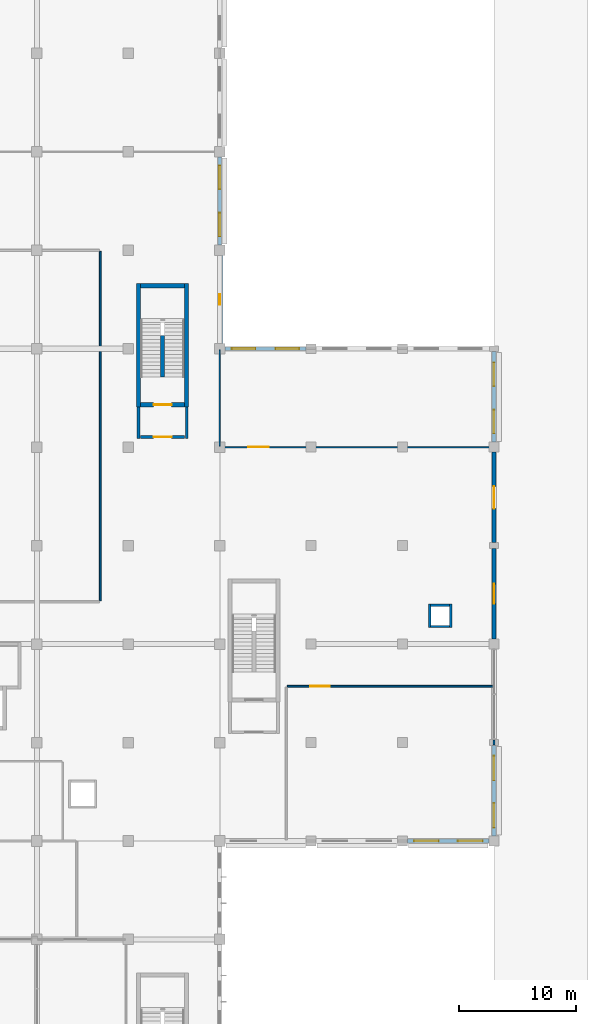
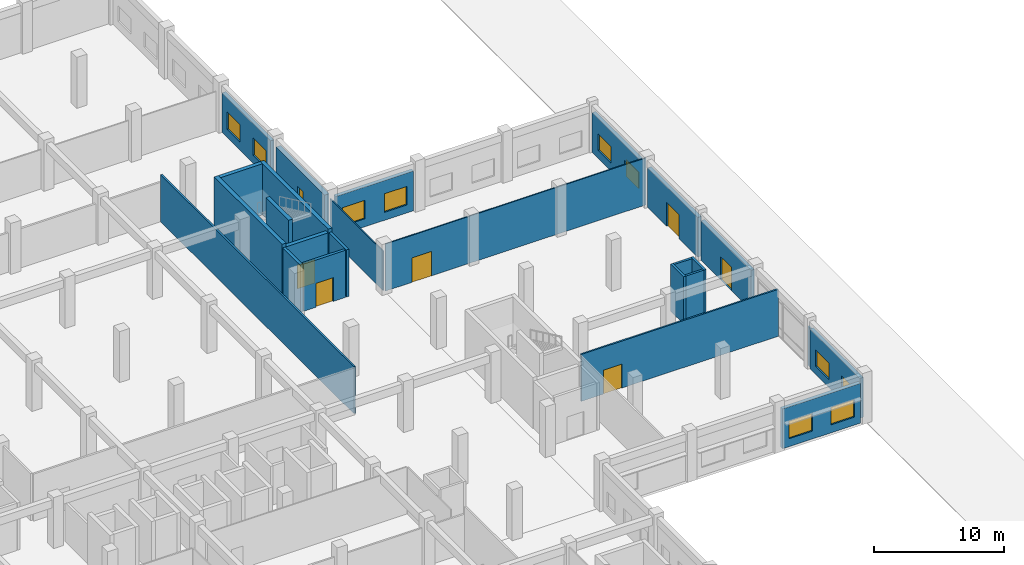
# One storey, part 58 of 74: 25 walls, 11 windows, 6 doors, 17 openings.
"""IFC4 building model written with IfcOpenShell, lengths in metres."""

from ifc_helpers import new_model, si_unit, direction, frame, frame_2d, origin, place, context, subcontext, project, spatial, rectangle, extrude, material, layer, layer_set, type_object, element, fill, save


model = new_model("IFC4")

# Units and contexts
model_context = context("Model", 3, precision=1e-05, world=origin(), true_north=direction((0.0, 1.0)))
body_context = subcontext(model_context, "Body", "Model", "MODEL_VIEW")
ifc_project = project(units=[si_unit("LENGTHUNIT", "METRE"), si_unit("AREAUNIT", "SQUARE_METRE"), si_unit("VOLUMEUNIT", "CUBIC_METRE"), si_unit("PLANEANGLEUNIT", "RADIAN"), si_unit("MASSUNIT", "GRAM", prefix="KILO"), si_unit("THERMODYNAMICTEMPERATUREUNIT", "KELVIN"), si_unit("POWERUNIT", "WATT")], contexts=[model_context])

# Site, building, storey
site_placement = place(None, origin())
site = spatial("IfcSite", under=ifc_project, at=site_placement, CompositionType="ELEMENT")
building_placement = place(site_placement, origin())
building = spatial("IfcBuilding", under=site, at=building_placement, Name="Srebrne Nadtorze General Hospital", CompositionType="ELEMENT")
storey_placement = place(building_placement, origin())
storey = spatial("IfcBuildingStorey", under=building, at=storey_placement, Name="L00", CompositionType="ELEMENT", Elevation=0.0)

# Wall, opening, window
ifc_material_1 = material(Name="Concrete C40/50", Category="concrete")
ifc_layer_1 = layer(ifc_material_1, 0.419921875)
ifc_layer_set_1 = layer_set([ifc_layer_1], Name="Concrete C40/50")
wall_type_1 = type_object("IfcWallType", Name="Acoustic buffer wall 420", PredefinedType="SOLIDWALL", material=ifc_layer_set_1)
wall_1_placement = place(storey_placement, frame((148.199951171875, 76.050048828125, 0.0), z_axis=(0.0, 0.0, 1.0), x_axis=(0.0, 1.0, 0.0)))
wall_1 = element("IfcWall", 1, at=wall_1_placement, inside=storey, type_object=wall_type_1, Name="Exterior wall WL-ENV-L00-0142", PredefinedType="SOLIDWALL", context=body_context, shape_type="SweptSolid", body=[
    extrude(rectangle(XDim=7.5, YDim=0.419921875, at=frame_2d((3.75, 0.0))), origin(), (0.0, 0.0, 1.0), 3.75),
])
opening_1_placement = place(wall_1_placement, frame((3.300048828125, 0.0, 0.75)))
opening_1 = element("IfcOpeningElement", 2, at=opening_1_placement, cuts=wall_1, Name="Opening WN-L00-0108", PredefinedType="OPENING", context=body_context, shape_type="SweptSolid", body=[
    extrude(rectangle(XDim=0.89990234375, YDim=1.300048828125, at=frame_2d((0.449951171875, 0.64990234375))), frame((0.0, 0.221923828125, 0.0), z_axis=(0.0, -1.0, 0.0), x_axis=(1.0, 0.0, 0.0)), (0.0, 0.0, 1.0), 0.44384765625),
])
ifc_material_2 = material(Name="Triple Low-E Glazing", Category="glass")
window_type_1 = type_object("IfcWindowType", Name="Punched clinical window 900x1300", PartitioningType="SINGLE_PANEL", PredefinedType="WINDOW", material=ifc_material_2)
window_1_placement = place(opening_1_placement, origin())
window_1 = element("IfcWindow", 3, at=window_1_placement, inside=storey, type_object=window_type_1, Name="Clinical window WN-L00-0108", OverallHeight=1.300048828125, OverallWidth=0.89990234375, PartitioningType="SINGLE_PANEL", PredefinedType="WINDOW", context=body_context, shape_type="SweptSolid", body=[
    extrude(rectangle(XDim=0.89990234375, YDim=1.300048828125, at=frame_2d((0.449951171875, 0.64990234375))), frame((0.0, 0.030029296875, 0.0), z_axis=(0.0, -1.0, 0.0), x_axis=(1.0, 0.0, 0.0)), (0.0, 0.0, 1.0), 0.06005859375),
])
fill(opening_1, window_1)

# Wall, opening, door
ifc_material_3 = material(Name="Gypsum Healthcare Partition")
ifc_layer_2 = layer(ifc_material_3, 0.139892578125)
ifc_layer_set_2 = layer_set([ifc_layer_2], Name="Gypsum Healthcare Partition")
wall_type_2 = type_object("IfcWallType", Name="Clinical partition 140", PredefinedType="PARTITIONING", material=ifc_layer_set_2)
wall_2_placement = place(storey_placement, frame((153.9599609375, 46.800048828125, 0.0), z_axis=(0.0, 0.0, 1.0), x_axis=(1.0, 0.0, 0.0)))
wall_2 = element("IfcWall", 4, at=wall_2_placement, inside=storey, type_object=wall_type_2, Name="Outpatient Retail Pharmacy wall WL-INT-L00-1351", PredefinedType="PARTITIONING", context=body_context, shape_type="SweptSolid", body=[
    extrude(rectangle(XDim=17.554931640625, YDim=0.139892578125, at=frame_2d((8.77734375, 0.0))), origin(), (0.0, 0.0, 1.0), 4.429931640625),
])
opening_2_placement = place(wall_2_placement, frame((1.961669921875, 0.0, 0.0)))
opening_2 = element("IfcOpeningElement", 5, at=opening_2_placement, cuts=wall_2, Name="Opening D-L00-0203", PredefinedType="OPENING", context=body_context, shape_type="SweptSolid", body=[
    extrude(rectangle(XDim=1.64990234375, YDim=2.25, at=frame_2d((0.824951171875, 1.125))), frame((0.0, 0.08203125, 0.0), z_axis=(0.0, -1.0, 0.0), x_axis=(1.0, 0.0, 0.0)), (0.0, 0.0, 1.0), 0.163818359375),
])
ifc_material_4 = material(Name="Anodised Aluminium", Category="aluminium")
door_type_1 = type_object("IfcDoorType", Name="Double leaf door 1650x2250", OperationType="DOUBLE_DOOR_SINGLE_SWING", PredefinedType="DOOR", material=ifc_material_4)
door_1_placement = place(opening_2_placement, frame((1.64990234375, 0.0, 0.0), z_axis=(0.0, 0.0, 1.0), x_axis=(-1.0, 0.0, 0.0)))
door_1 = element("IfcDoor", 6, at=door_1_placement, inside=storey, type_object=door_type_1, Name="Outpatient Retail Pharmacy door D-L00-0203", OperationType="DOUBLE_DOOR_SINGLE_SWING", OverallHeight=2.25, OverallWidth=1.64990234375, PredefinedType="DOOR", context=body_context, shape_type="SweptSolid", body=[
    extrude(rectangle(XDim=1.64990234375, YDim=2.25, at=frame_2d((0.824951171875, 1.125))), frame((0.0, 0.02490234375, 0.0), z_axis=(0.0, -1.0, 0.0), x_axis=(1.0, 0.0, 0.0)), (0.0, 0.0, 1.0), 0.050048828125),
])
fill(opening_2, door_1)

# Walls
wall_3_placement = place(storey_placement, frame((171.60009765625, 41.7900390625, 0.0), z_axis=(0.0, 0.0, 1.0), x_axis=(0.0, 1.0, 0.0)))
element("IfcWall", 7, at=wall_3_placement, inside=storey, type_object=wall_type_2, Name="Outpatient Retail Pharmacy wall WL-INT-L00-1355", PredefinedType="PARTITIONING", context=body_context, shape_type="SweptSolid", body=[
    extrude(rectangle(XDim=0.419921875, YDim=0.139892578125, at=frame_2d((0.2099609375, 0.0))), origin(), (0.0, 0.0, 1.0), 3.699951171875),
])
ifc_material_5 = material(Name="Gypsum Healthcare Partition")
ifc_layer_3 = layer(ifc_material_5, 0.159912109375)
ifc_layer_set_3 = layer_set([ifc_layer_3], Name="Gypsum Healthcare Partition")
wall_type_3 = type_object("IfcWallType", Name="Clinical partition 160", PredefinedType="PARTITIONING", material=ifc_layer_set_3)
wall_4_placement = place(storey_placement, frame((138.0, 54.0849609375, 0.0), z_axis=(0.0, 0.0, 1.0), x_axis=(0.0, 1.0, 0.0)))
element("IfcWall", 8, at=wall_4_placement, inside=storey, type_object=wall_type_3, Name="Clinical Blood Bank and Transfusion wall WL-INT-L00-1350", PredefinedType="PARTITIONING", context=body_context, shape_type="SweptSolid", body=[
    extrude(rectangle(XDim=29.830078125, YDim=0.159912109375, at=frame_2d((14.9150390625, 0.0))), origin(), (0.0, 0.0, 1.0), 4.429931640625),
])
ifc_material_6 = material(Name="Gypsum Healthcare Partition")
ifc_layer_4 = layer(ifc_material_6, 0.199951171875)
ifc_layer_set_4 = layer_set([ifc_layer_4], Name="Gypsum Healthcare Partition")
wall_type_4 = type_object("IfcWallType", Name="Compartment wall 200", PredefinedType="STANDARD", material=ifc_layer_set_4)
for number, where, z_axis, x_axis, name in (
    (9, (166.10009765625, 51.800048828125, 0.0), (0.0, 0.0, 1.0), (0.0, 1.0, 0.0), "MEP riser wall WL-INT-L00-0932"),
    (10, (167.89990234375, 51.800048828125, 0.0), (0.0, 0.0, 1.0), (0.0, 1.0, 0.0), "MEP riser wall WL-INT-L00-0933"),
):
    element("IfcWall", number, at=place(storey_placement, frame(where, z_axis=z_axis, x_axis=x_axis)), inside=storey, type_object=wall_type_4, Name=name, PredefinedType="STANDARD", context=body_context, shape_type="SweptSolid", body=[
        extrude(rectangle(XDim=2.0, YDim=0.199951171875, at=frame_2d((1.0, 0.0))), origin(), (0.0, 0.0, 1.0), 4.449951171875),
    ])
for number, where, z_axis, x_axis, name in (
    (11, (166.199951171875, 51.89990234375, 0.0), (0.0, 0.0, 1.0), (1.0, 0.0, 0.0), "MEP riser wall WL-INT-L00-0934"),
    (12, (166.199951171875, 53.699951171875, 0.0), (0.0, 0.0, 1.0), (1.0, 0.0, 0.0), "MEP riser wall WL-INT-L00-0935"),
):
    element("IfcWall", number, at=place(storey_placement, frame(where, z_axis=z_axis, x_axis=x_axis)), inside=storey, type_object=wall_type_4, Name=name, PredefinedType="STANDARD", context=body_context, shape_type="SweptSolid", body=[
        extrude(rectangle(XDim=1.60009765625, YDim=0.199951171875, at=frame_2d((0.800048828125, 0.0))), origin(), (0.0, 0.0, 1.0), 4.449951171875),
    ])
ifc_material_7 = material(Name="Gypsum Healthcare Partition")
ifc_layer_5 = layer(ifc_material_7, 0.239990234375)
ifc_layer_set_5 = layer_set([ifc_layer_5], Name="Gypsum Healthcare Partition")
wall_type_5 = type_object("IfcWallType", Name="Corridor fire wall 240", PredefinedType="STANDARD", material=ifc_layer_set_5)
for number, where, z_axis, x_axis, name in (
    (13, (141.27490234375, 67.955078125, 0.0), (0.0, 0.0, 1.0), (0.0, 1.0, 0.0), "Fire lobby wall ST-04 WL-INT-L00-0093"),
    (14, (145.375, 67.955078125, 0.0), (0.0, 0.0, 1.0), (0.0, 1.0, 0.0), "Fire lobby wall ST-04 WL-INT-L00-0094"),
):
    element("IfcWall", number, at=place(storey_placement, frame(where, z_axis=z_axis, x_axis=x_axis)), inside=storey, type_object=wall_type_5, Name=name, PredefinedType="STANDARD", context=body_context, shape_type="SweptSolid", body=[
        extrude(rectangle(XDim=2.69482421875, YDim=0.239990234375, at=frame_2d((1.347412109375, 0.0))), origin(), (0.0, 0.0, 1.0), 4.449951171875),
    ])

# Wall, opening, door
wall_5_placement = place(storey_placement, frame((141.449951171875, 68.074951171875, 0.0), z_axis=(0.0, 0.0, 1.0), x_axis=(1.0, 0.0, 0.0)))
wall_5 = element("IfcWall", 15, at=wall_5_placement, inside=storey, type_object=wall_type_5, Name="Fire lobby entry wall ST-04 WL-INT-L00-0095", PredefinedType="STANDARD", context=body_context, shape_type="SweptSolid", body=[
    extrude(rectangle(XDim=3.75, YDim=0.239990234375, at=frame_2d((1.875, 0.0))), origin(), (0.0, 0.0, 1.0), 4.449951171875),
])
opening_3_placement = place(wall_5_placement, frame((1.10009765625, 0.0, 0.0)))
opening_3 = element("IfcOpeningElement", 16, at=opening_3_placement, cuts=wall_5, Name="Opening D-L00-0024", PredefinedType="OPENING", context=body_context, shape_type="SweptSolid", body=[
    extrude(rectangle(XDim=1.550048828125, YDim=2.25, at=frame_2d((0.77490234375, 1.125))), frame((0.0, 0.1318359375, 0.0), z_axis=(0.0, -1.0, 0.0), x_axis=(1.0, 0.0, 0.0)), (0.0, 0.0, 1.0), 0.263916015625),
])
ifc_material_8 = material(Name="Anodised Aluminium", Category="aluminium")
door_type_2 = type_object("IfcDoorType", Name="Double leaf door 1550x2250", OperationType="DOUBLE_DOOR_SINGLE_SWING", PredefinedType="DOOR", material=ifc_material_8)
door_2_placement = place(opening_3_placement, frame((1.550048828125, 0.0, 0.0), z_axis=(0.0, 0.0, 1.0), x_axis=(-1.0, 0.0, 0.0)))
door_2 = element("IfcDoor", 17, at=door_2_placement, inside=storey, type_object=door_type_2, Name="Fire lobby door ST-04 D-L00-0024", OperationType="DOUBLE_DOOR_SINGLE_SWING", OverallHeight=2.25, OverallWidth=1.550048828125, PredefinedType="DOOR", context=body_context, shape_type="SweptSolid", body=[
    extrude(rectangle(XDim=1.550048828125, YDim=2.25, at=frame_2d((0.77490234375, 1.125))), frame((0.0, 0.02490234375, 0.0), z_axis=(0.0, -1.0, 0.0), x_axis=(1.0, 0.0, 0.0)), (0.0, 0.0, 1.0), 0.050048828125),
])
fill(opening_3, door_2)

ifc_material_9 = material(Name="Gypsum Healthcare Partition")
ifc_layer_6 = layer(ifc_material_9, 0.10009765625)
ifc_layer_set_6 = layer_set([ifc_layer_6], Name="Gypsum Healthcare Partition")
wall_type_6 = type_object("IfcWallType", Name="Shaft lining wall 100", PredefinedType="PARTITIONING", material=ifc_layer_set_6)
wall_6_placement = place(storey_placement, frame((148.284912109375, 67.199951171875, 0.0), z_axis=(0.0, 0.0, 1.0), x_axis=(1.0, 0.0, 0.0)))
wall_6 = element("IfcWall", 18, at=wall_6_placement, inside=storey, type_object=wall_type_6, Name="Patient Transport Waiting Suite wall WL-INT-L00-1356", PredefinedType="PARTITIONING", context=body_context, shape_type="SweptSolid", body=[
    extrude(rectangle(XDim=23.22998046875, YDim=0.10009765625, at=frame_2d((11.614990234375, 0.0))), origin(), (0.0, 0.0, 1.0), 4.429931640625),
])
opening_4_placement = place(wall_6_placement, frame((2.347900390625, 0.0, 0.0)))
opening_4 = element("IfcOpeningElement", 19, at=opening_4_placement, cuts=wall_6, Name="Opening D-L00-0204", PredefinedType="OPENING", context=body_context, shape_type="SweptSolid", body=[
    extrude(rectangle(XDim=1.75, YDim=2.300048828125, at=frame_2d((0.875, 1.14990234375))), frame((0.0, 0.06201171875, 0.0), z_axis=(0.0, -1.0, 0.0), x_axis=(1.0, 0.0, 0.0)), (0.0, 0.0, 1.0), 0.1240234375),
])
ifc_material_10 = material(Name="Anodised Aluminium", Category="aluminium")
door_type_3 = type_object("IfcDoorType", Name="Double leaf door 1750x2300", OperationType="DOUBLE_DOOR_SINGLE_SWING", PredefinedType="DOOR", material=ifc_material_10)
door_3_placement = place(opening_4_placement, origin())
door_3 = element("IfcDoor", 20, at=door_3_placement, inside=storey, type_object=door_type_3, Name="Patient Transport Waiting Suite door D-L00-0204", OperationType="DOUBLE_DOOR_SINGLE_SWING", OverallHeight=2.300048828125, OverallWidth=1.75, PredefinedType="DOOR", context=body_context, shape_type="SweptSolid", body=[
    extrude(rectangle(XDim=1.75, YDim=2.300048828125, at=frame_2d((0.875, 1.14990234375))), frame((0.0, 0.02490234375, 0.0), z_axis=(0.0, -1.0, 0.0), x_axis=(1.0, 0.0, 0.0)), (0.0, 0.0, 1.0), 0.050048828125),
])
fill(opening_4, door_3)

# Walls
wall_7_placement = place(storey_placement, frame((148.199951171875, 67.284912109375, 0.0), z_axis=(0.0, 0.0, 1.0), x_axis=(0.0, 1.0, 0.0)))
element("IfcWall", 21, at=wall_7_placement, inside=storey, type_object=wall_type_6, Name="Patient Transport Waiting Suite wall WL-INT-L00-1359", PredefinedType="PARTITIONING", context=body_context, shape_type="SweptSolid", body=[
    extrude(rectangle(XDim=8.22998046875, YDim=0.10009765625, at=frame_2d((4.114990234375, 0.0))), origin(), (0.0, 0.0, 1.0), 3.699951171875),
])
ifc_material_11 = material(Name="Concrete C40/50", Category="concrete")
ifc_layer_7 = layer(ifc_material_11, 0.35009765625)
ifc_layer_set_7 = layer_set([ifc_layer_7], Name="Concrete C40/50")
wall_type_7 = type_object("IfcWallType", Name="Shear core wall 350", PredefinedType="SHEAR", material=ifc_layer_set_7)
for number, where, z_axis, x_axis, name in (
    (22, (141.27490234375, 70.64990234375, 0.0), (0.0, 0.0, 1.0), (0.0, 1.0, 0.0), "Stair core wall ST-04 WL-INT-L00-0089"),
    (23, (145.375, 70.64990234375, 0.0), (0.0, 0.0, 1.0), (0.0, 1.0, 0.0), "Stair core wall ST-04 WL-INT-L00-0090"),
):
    element("IfcWall", number, at=place(storey_placement, frame(where, z_axis=z_axis, x_axis=x_axis)), inside=storey, type_object=wall_type_7, Name=name, PredefinedType="SHEAR", context=body_context, shape_type="SweptSolid", body=[
        extrude(rectangle(XDim=10.5, YDim=0.35009765625, at=frame_2d((5.25, 0.0))), origin(), (0.0, 0.0, 1.0), 4.800048828125),
    ])
wall_8_placement = place(storey_placement, frame((141.449951171875, 80.97509765625, 0.0), z_axis=(0.0, 0.0, 1.0), x_axis=(1.0, 0.0, 0.0)))
element("IfcWall", 24, at=wall_8_placement, inside=storey, type_object=wall_type_7, Name="Stair core wall ST-04 WL-INT-L00-0091", PredefinedType="SHEAR", context=body_context, shape_type="SweptSolid", body=[
    extrude(rectangle(XDim=3.75, YDim=0.35009765625, at=frame_2d((1.875, 0.0))), origin(), (0.0, 0.0, 1.0), 4.800048828125),
])

# Wall, opening, door
wall_9_placement = place(storey_placement, frame((141.449951171875, 70.824951171875, 0.0), z_axis=(0.0, 0.0, 1.0), x_axis=(1.0, 0.0, 0.0)))
wall_9 = element("IfcWall", 25, at=wall_9_placement, inside=storey, type_object=wall_type_7, Name="Stairwell fire wall ST-04 WL-INT-L00-0092", PredefinedType="SHEAR", context=body_context, shape_type="SweptSolid", body=[
    extrude(rectangle(XDim=3.75, YDim=0.35009765625, at=frame_2d((1.875, 0.0))), origin(), (0.0, 0.0, 1.0), 4.449951171875),
])
opening_5_placement = place(wall_9_placement, frame((1.10009765625, 0.0, 0.0)))
opening_5 = element("IfcOpeningElement", 26, at=opening_5_placement, cuts=wall_9, Name="Opening D-L00-0023", PredefinedType="OPENING", context=body_context, shape_type="SweptSolid", body=[
    extrude(rectangle(XDim=1.550048828125, YDim=2.25, at=frame_2d((0.77490234375, 1.125))), frame((0.0, 0.18701171875, 0.0), z_axis=(0.0, -1.0, 0.0), x_axis=(1.0, 0.0, 0.0)), (0.0, 0.0, 1.0), 0.3740234375),
])
door_4_placement = place(opening_5_placement, frame((1.550048828125, 0.0, 0.0), z_axis=(0.0, 0.0, 1.0), x_axis=(-1.0, 0.0, 0.0)))
door_4 = element("IfcDoor", 27, at=door_4_placement, inside=storey, type_object=door_type_2, Name="Protected stair door ST-04 D-L00-0023", OperationType="DOUBLE_DOOR_SINGLE_SWING", OverallHeight=2.25, OverallWidth=1.550048828125, PredefinedType="DOOR", context=body_context, shape_type="SweptSolid", body=[
    extrude(rectangle(XDim=1.550048828125, YDim=2.25, at=frame_2d((0.77490234375, 1.125))), frame((0.0, 0.02490234375, 0.0), z_axis=(0.0, -1.0, 0.0), x_axis=(1.0, 0.0, 0.0)), (0.0, 0.0, 1.0), 0.050048828125),
])
fill(opening_5, door_4)

# Wall
wall_10_placement = place(storey_placement, frame((143.324951171875, 73.199951171875, 0.0), z_axis=(0.0, 0.0, 1.0), x_axis=(0.0, 1.0, 0.0)))
element("IfcWall", 28, at=wall_10_placement, inside=storey, type_object=wall_type_7, Name="Stair spine wall ST-04 WL-INT-L00-0096", PredefinedType="SHEAR", context=body_context, shape_type="SweptSolid", body=[
    extrude(rectangle(XDim=3.52001953125, YDim=0.35009765625, at=frame_2d((1.760009765625, 0.0))), origin(), (0.0, 0.0, 1.0), 4.800048828125),
])

# Wall, openings, windows
ifc_material_12 = material(Name="Concrete C35/45", Category="concrete")
ifc_layer_8 = layer(ifc_material_12, 0.320068359375)
ifc_layer_set_8 = layer_set([ifc_layer_8], Name="Concrete C35/45")
wall_type_8 = type_object("IfcWallType", Name="Spandrel wall 320", PredefinedType="STANDARD", material=ifc_layer_set_8)
wall_11_placement = place(storey_placement, frame((164.22509765625, 33.60009765625, 0.0), z_axis=(0.0, 0.0, 1.0), x_axis=(1.0, 0.0, 0.0)))
wall_11 = element("IfcWall", 29, at=wall_11_placement, inside=storey, type_object=wall_type_8, Name="Exterior wall WL-ENV-L00-0096", PredefinedType="STANDARD", context=body_context, shape_type="SweptSolid", body=[
    extrude(rectangle(XDim=6.949951171875, YDim=0.320068359375, at=frame_2d((3.47509765625, 0.0))), origin(), (0.0, 0.0, 1.0), 3.75),
])
opening_6_placement = place(wall_11_placement, frame((0.552978515625, 0.0, 0.75)))
opening_6 = element("IfcOpeningElement", 30, at=opening_6_placement, cuts=wall_11, Name="Opening WN-L00-0039", PredefinedType="OPENING", context=body_context, shape_type="SweptSolid", body=[
    extrude(rectangle(XDim=2.10009765625, YDim=1.64990234375, at=frame_2d((1.050048828125, 0.824951171875))), frame((0.0, 0.171875, 0.0), z_axis=(0.0, -1.0, 0.0), x_axis=(1.0, 0.0, 0.0)), (0.0, 0.0, 1.0), 0.343994140625),
])
opening_7_placement = place(wall_11_placement, frame((4.297119140625, 0.0, 0.75)))
opening_7 = element("IfcOpeningElement", 31, at=opening_7_placement, cuts=wall_11, Name="Opening WN-L00-0040", PredefinedType="OPENING", context=body_context, shape_type="SweptSolid", body=[
    extrude(rectangle(XDim=2.10009765625, YDim=1.64990234375, at=frame_2d((1.050048828125, 0.824951171875))), frame((0.0, 0.171875, 0.0), z_axis=(0.0, -1.0, 0.0), x_axis=(1.0, 0.0, 0.0)), (0.0, 0.0, 1.0), 0.343994140625),
])
ifc_material_13 = material(Name="Triple Low-E Glazing", Category="glass")
window_type_2 = type_object("IfcWindowType", Name="Punched clinical window 2100x1650", PartitioningType="DOUBLE_PANEL_VERTICAL", PredefinedType="WINDOW", material=ifc_material_13)
window_2_placement = place(opening_6_placement, origin())
window_2 = element("IfcWindow", 32, at=window_2_placement, inside=storey, type_object=window_type_2, Name="Clinical window WN-L00-0039", OverallHeight=1.64990234375, OverallWidth=2.10009765625, PartitioningType="DOUBLE_PANEL_VERTICAL", PredefinedType="WINDOW", context=body_context, shape_type="SweptSolid", body=[
    extrude(rectangle(XDim=2.10009765625, YDim=1.64990234375, at=frame_2d((1.050048828125, 0.824951171875))), frame((0.0, 0.030029296875, 0.0), z_axis=(0.0, -1.0, 0.0), x_axis=(1.0, 0.0, 0.0)), (0.0, 0.0, 1.0), 0.06005859375),
])
fill(opening_6, window_2)
window_3_placement = place(opening_7_placement, origin())
window_3 = element("IfcWindow", 33, at=window_3_placement, inside=storey, type_object=window_type_2, Name="Clinical window WN-L00-0040", OverallHeight=1.64990234375, OverallWidth=2.10009765625, PartitioningType="DOUBLE_PANEL_VERTICAL", PredefinedType="WINDOW", context=body_context, shape_type="SweptSolid", body=[
    extrude(rectangle(XDim=2.10009765625, YDim=1.64990234375, at=frame_2d((1.050048828125, 0.824951171875))), frame((0.0, 0.030029296875, 0.0), z_axis=(0.0, -1.0, 0.0), x_axis=(1.0, 0.0, 0.0)), (0.0, 0.0, 1.0), 0.06005859375),
])
fill(opening_7, window_3)

wall_12_placement = place(storey_placement, frame((148.64990234375, 75.60009765625, 0.0), z_axis=(0.0, 0.0, 1.0), x_axis=(1.0, 0.0, 0.0)))
wall_12 = element("IfcWall", 34, at=wall_12_placement, inside=storey, type_object=wall_type_8, Name="Exterior wall WL-ENV-L00-0097", PredefinedType="STANDARD", context=body_context, shape_type="SweptSolid", body=[
    extrude(rectangle(XDim=6.925048828125, YDim=0.320068359375, at=frame_2d((3.46240234375, 0.0))), origin(), (0.0, 0.0, 1.0), 3.75),
])
opening_8_placement = place(wall_12_placement, frame((0.577880859375, 0.0, 0.75)))
opening_8 = element("IfcOpeningElement", 35, at=opening_8_placement, cuts=wall_12, Name="Opening WN-L00-0041", PredefinedType="OPENING", context=body_context, shape_type="SweptSolid", body=[
    extrude(rectangle(XDim=2.0, YDim=1.75, at=frame_2d((1.0, 0.875))), frame((0.0, 0.171875, 0.0), z_axis=(0.0, -1.0, 0.0), x_axis=(1.0, 0.0, 0.0)), (0.0, 0.0, 1.0), 0.343994140625),
])
opening_9_placement = place(wall_12_placement, frame((4.322021484375, 0.0, 0.75)))
opening_9 = element("IfcOpeningElement", 36, at=opening_9_placement, cuts=wall_12, Name="Opening WN-L00-0042", PredefinedType="OPENING", context=body_context, shape_type="SweptSolid", body=[
    extrude(rectangle(XDim=2.0, YDim=1.75, at=frame_2d((1.0, 0.875))), frame((0.0, 0.171875, 0.0), z_axis=(0.0, -1.0, 0.0), x_axis=(1.0, 0.0, 0.0)), (0.0, 0.0, 1.0), 0.343994140625),
])
ifc_material_14 = material(Name="Triple Low-E Glazing", Category="glass")
window_type_3 = type_object("IfcWindowType", Name="Punched clinical window 2000x1750", PartitioningType="DOUBLE_PANEL_VERTICAL", PredefinedType="WINDOW", material=ifc_material_14)
window_4_placement = place(opening_8_placement, origin())
window_4 = element("IfcWindow", 37, at=window_4_placement, inside=storey, type_object=window_type_3, Name="Clinical window WN-L00-0041", OverallHeight=1.75, OverallWidth=2.0, PartitioningType="DOUBLE_PANEL_VERTICAL", PredefinedType="WINDOW", context=body_context, shape_type="SweptSolid", body=[
    extrude(rectangle(XDim=2.0, YDim=1.75, at=frame_2d((1.0, 0.875))), frame((0.0, 0.030029296875, 0.0), z_axis=(0.0, -1.0, 0.0), x_axis=(1.0, 0.0, 0.0)), (0.0, 0.0, 1.0), 0.06005859375),
])
fill(opening_8, window_4)
window_5_placement = place(opening_9_placement, origin())
window_5 = element("IfcWindow", 38, at=window_5_placement, inside=storey, type_object=window_type_3, Name="Clinical window WN-L00-0042", OverallHeight=1.75, OverallWidth=2.0, PartitioningType="DOUBLE_PANEL_VERTICAL", PredefinedType="WINDOW", context=body_context, shape_type="SweptSolid", body=[
    extrude(rectangle(XDim=2.0, YDim=1.75, at=frame_2d((1.0, 0.875))), frame((0.0, 0.030029296875, 0.0), z_axis=(0.0, -1.0, 0.0), x_axis=(1.0, 0.0, 0.0)), (0.0, 0.0, 1.0), 0.06005859375),
])
fill(opening_9, window_5)

wall_13_placement = place(storey_placement, frame((148.199951171875, 84.449951171875, 0.0), z_axis=(0.0, 0.0, 1.0), x_axis=(0.0, 1.0, 0.0)))
wall_13 = element("IfcWall", 39, at=wall_13_placement, inside=storey, type_object=wall_type_8, Name="Exterior wall WL-ENV-L00-0143", PredefinedType="STANDARD", context=body_context, shape_type="SweptSolid", body=[
    extrude(rectangle(XDim=7.5, YDim=0.320068359375, at=frame_2d((3.75, 0.0))), origin(), (0.0, 0.0, 1.0), 3.75),
])
opening_10_placement = place(wall_13_placement, frame((0.73388671875, 0.0, 0.75)))
opening_10 = element("IfcOpeningElement", 40, at=opening_10_placement, cuts=wall_13, Name="Opening WN-L00-0109", PredefinedType="OPENING", context=body_context, shape_type="SweptSolid", body=[
    extrude(rectangle(XDim=2.0, YDim=1.64990234375, at=frame_2d((1.0, 0.824951171875))), frame((0.0, 0.171875, 0.0), z_axis=(0.0, -1.0, 0.0), x_axis=(1.0, 0.0, 0.0)), (0.0, 0.0, 1.0), 0.343994140625),
])
opening_11_placement = place(wall_13_placement, frame((4.76611328125, 0.0, 0.75)))
opening_11 = element("IfcOpeningElement", 41, at=opening_11_placement, cuts=wall_13, Name="Opening WN-L00-0110", PredefinedType="OPENING", context=body_context, shape_type="SweptSolid", body=[
    extrude(rectangle(XDim=2.0, YDim=1.64990234375, at=frame_2d((1.0, 0.824951171875))), frame((0.0, 0.171875, 0.0), z_axis=(0.0, -1.0, 0.0), x_axis=(1.0, 0.0, 0.0)), (0.0, 0.0, 1.0), 0.343994140625),
])
ifc_material_15 = material(Name="Triple Low-E Glazing", Category="glass")
window_type_4 = type_object("IfcWindowType", Name="Punched clinical window 2000x1650", PartitioningType="DOUBLE_PANEL_VERTICAL", PredefinedType="WINDOW", material=ifc_material_15)
window_6_placement = place(opening_10_placement, origin())
window_6 = element("IfcWindow", 42, at=window_6_placement, inside=storey, type_object=window_type_4, Name="Clinical window WN-L00-0109", OverallHeight=1.64990234375, OverallWidth=2.0, PartitioningType="DOUBLE_PANEL_VERTICAL", PredefinedType="WINDOW", context=body_context, shape_type="SweptSolid", body=[
    extrude(rectangle(XDim=2.0, YDim=1.64990234375, at=frame_2d((1.0, 0.824951171875))), frame((0.0, 0.030029296875, 0.0), z_axis=(0.0, -1.0, 0.0), x_axis=(1.0, 0.0, 0.0)), (0.0, 0.0, 1.0), 0.06005859375),
])
fill(opening_10, window_6)
window_7_placement = place(opening_11_placement, origin())
window_7 = element("IfcWindow", 43, at=window_7_placement, inside=storey, type_object=window_type_4, Name="Clinical window WN-L00-0110", OverallHeight=1.64990234375, OverallWidth=2.0, PartitioningType="DOUBLE_PANEL_VERTICAL", PredefinedType="WINDOW", context=body_context, shape_type="SweptSolid", body=[
    extrude(rectangle(XDim=2.0, YDim=1.64990234375, at=frame_2d((1.0, 0.824951171875))), frame((0.0, 0.030029296875, 0.0), z_axis=(0.0, -1.0, 0.0), x_axis=(1.0, 0.0, 0.0)), (0.0, 0.0, 1.0), 0.06005859375),
])
fill(opening_11, window_7)

wall_14_placement = place(storey_placement, frame((171.60009765625, 34.02490234375, 0.0), z_axis=(0.0, 0.0, 1.0), x_axis=(0.0, 1.0, 0.0)))
wall_14 = element("IfcWall", 44, at=wall_14_placement, inside=storey, type_object=wall_type_8, Name="Exterior wall WL-ENV-L00-0146", PredefinedType="STANDARD", context=body_context, shape_type="SweptSolid", body=[
    extrude(rectangle(XDim=7.72509765625, YDim=0.320068359375, at=frame_2d((3.862548828125, 0.0))), origin(), (0.0, 0.0, 1.0), 3.75),
])
opening_12_placement = place(wall_14_placement, frame((0.708984375, 0.0, 0.75)))
opening_12 = element("IfcOpeningElement", 45, at=opening_12_placement, cuts=wall_14, Name="Opening WN-L00-0115", PredefinedType="OPENING", context=body_context, shape_type="SweptSolid", body=[
    extrude(rectangle(XDim=2.10009765625, YDim=1.550048828125, at=frame_2d((1.050048828125, 0.77490234375))), frame((0.0, 0.171875, 0.0), z_axis=(0.0, -1.0, 0.0), x_axis=(1.0, 0.0, 0.0)), (0.0, 0.0, 1.0), 0.343994140625),
])
opening_13_placement = place(wall_14_placement, frame((4.740966796875, 0.0, 0.75)))
opening_13 = element("IfcOpeningElement", 46, at=opening_13_placement, cuts=wall_14, Name="Opening WN-L00-0116", PredefinedType="OPENING", context=body_context, shape_type="SweptSolid", body=[
    extrude(rectangle(XDim=2.10009765625, YDim=1.550048828125, at=frame_2d((1.050048828125, 0.77490234375))), frame((0.0, 0.171875, 0.0), z_axis=(0.0, -1.0, 0.0), x_axis=(1.0, 0.0, 0.0)), (0.0, 0.0, 1.0), 0.343994140625),
])
ifc_material_16 = material(Name="Triple Low-E Glazing", Category="glass")
window_type_5 = type_object("IfcWindowType", Name="Punched clinical window 2100x1550", PartitioningType="DOUBLE_PANEL_VERTICAL", PredefinedType="WINDOW", material=ifc_material_16)
window_8_placement = place(opening_12_placement, origin())
window_8 = element("IfcWindow", 47, at=window_8_placement, inside=storey, type_object=window_type_5, Name="Clinical window WN-L00-0115", OverallHeight=1.550048828125, OverallWidth=2.10009765625, PartitioningType="DOUBLE_PANEL_VERTICAL", PredefinedType="WINDOW", context=body_context, shape_type="SweptSolid", body=[
    extrude(rectangle(XDim=2.10009765625, YDim=1.550048828125, at=frame_2d((1.050048828125, 0.77490234375))), frame((0.0, 0.030029296875, 0.0), z_axis=(0.0, -1.0, 0.0), x_axis=(1.0, 0.0, 0.0)), (0.0, 0.0, 1.0), 0.06005859375),
])
fill(opening_12, window_8)
window_9_placement = place(opening_13_placement, origin())
window_9 = element("IfcWindow", 48, at=window_9_placement, inside=storey, type_object=window_type_5, Name="Clinical window WN-L00-0116", OverallHeight=1.550048828125, OverallWidth=2.10009765625, PartitioningType="DOUBLE_PANEL_VERTICAL", PredefinedType="WINDOW", context=body_context, shape_type="SweptSolid", body=[
    extrude(rectangle(XDim=2.10009765625, YDim=1.550048828125, at=frame_2d((1.050048828125, 0.77490234375))), frame((0.0, 0.030029296875, 0.0), z_axis=(0.0, -1.0, 0.0), x_axis=(1.0, 0.0, 0.0)), (0.0, 0.0, 1.0), 0.06005859375),
])
fill(opening_13, window_9)

# Wall, opening, door
wall_15_placement = place(storey_placement, frame((171.60009765625, 50.824951171875, 0.0), z_axis=(0.0, 0.0, 1.0), x_axis=(0.0, 1.0, 0.0)))
wall_15 = element("IfcWall", 49, at=wall_15_placement, inside=storey, type_object=wall_type_8, Name="Exterior wall WL-ENV-L00-0147", PredefinedType="STANDARD", context=body_context, shape_type="SweptSolid", body=[
    extrude(rectangle(XDim=7.72509765625, YDim=0.320068359375, at=frame_2d((3.862548828125, 0.0))), origin(), (0.0, 0.0, 1.0), 3.75),
])
opening_14_placement = place(wall_15_placement, frame((3.012451171875, 0.0, 0.0)))
opening_14 = element("IfcOpeningElement", 50, at=opening_14_placement, cuts=wall_15, Name="Opening D-L00-E016", PredefinedType="OPENING", context=body_context, shape_type="SweptSolid", body=[
    extrude(rectangle(XDim=1.699951171875, YDim=2.199951171875, at=frame_2d((0.85009765625, 1.10009765625))), frame((0.0, 0.171875, 0.0), z_axis=(0.0, -1.0, 0.0), x_axis=(1.0, 0.0, 0.0)), (0.0, 0.0, 1.0), 0.343994140625),
])
ifc_material_17 = material(Name="Anodised Aluminium", Category="aluminium")
door_type_4 = type_object("IfcDoorType", Name="Double leaf door 1700x2200", OperationType="DOUBLE_DOOR_SINGLE_SWING", PredefinedType="DOOR", material=ifc_material_17)
door_5_placement = place(opening_14_placement, frame((1.699951171875, 0.0, 0.0), z_axis=(0.0, 0.0, 1.0), x_axis=(-1.0, 0.0, 0.0)))
door_5 = element("IfcDoor", 51, at=door_5_placement, inside=storey, type_object=door_type_4, Name="Exterior door D-L00-E016", OperationType="DOUBLE_DOOR_SINGLE_SWING", OverallHeight=2.199951171875, OverallWidth=1.699951171875, PredefinedType="DOOR", context=body_context, shape_type="SweptSolid", body=[
    extrude(rectangle(XDim=1.699951171875, YDim=2.199951171875, at=frame_2d((0.85009765625, 1.10009765625))), frame((0.0, 0.02490234375, 0.0), z_axis=(0.0, -1.0, 0.0), x_axis=(1.0, 0.0, 0.0)), (0.0, 0.0, 1.0), 0.050048828125),
])
fill(opening_14, door_5)

wall_16_placement = place(storey_placement, frame((171.60009765625, 59.050048828125, 0.0), z_axis=(0.0, 0.0, 1.0), x_axis=(0.0, 1.0, 0.0)))
wall_16 = element("IfcWall", 52, at=wall_16_placement, inside=storey, type_object=wall_type_8, Name="Exterior wall WL-ENV-L00-0148", PredefinedType="STANDARD", context=body_context, shape_type="SweptSolid", body=[
    extrude(rectangle(XDim=7.724853515625, YDim=0.320068359375, at=frame_2d((3.8623046875, 0.0))), origin(), (0.0, 0.0, 1.0), 3.75),
])
opening_15_placement = place(wall_16_placement, frame((2.91259765625, 0.0, 0.0)))
opening_15 = element("IfcOpeningElement", 53, at=opening_15_placement, cuts=wall_16, Name="Opening D-L00-E017", PredefinedType="OPENING", context=body_context, shape_type="SweptSolid", body=[
    extrude(rectangle(XDim=1.89990234375, YDim=2.25, at=frame_2d((0.949951171875, 1.125))), frame((0.0, 0.171875, 0.0), z_axis=(0.0, -1.0, 0.0), x_axis=(1.0, 0.0, 0.0)), (0.0, 0.0, 1.0), 0.343994140625),
])
ifc_material_18 = material(Name="Anodised Aluminium", Category="aluminium")
door_type_5 = type_object("IfcDoorType", Name="Double leaf door 1900x2250", OperationType="DOUBLE_DOOR_SINGLE_SWING", PredefinedType="DOOR", material=ifc_material_18)
door_6_placement = place(opening_15_placement, frame((1.89990234375, 0.0, 0.0), z_axis=(0.0, 0.0, 1.0), x_axis=(-1.0, 0.0, 0.0)))
door_6 = element("IfcDoor", 54, at=door_6_placement, inside=storey, type_object=door_type_5, Name="Exterior door D-L00-E017", OperationType="DOUBLE_DOOR_SINGLE_SWING", OverallHeight=2.25, OverallWidth=1.89990234375, PredefinedType="DOOR", context=body_context, shape_type="SweptSolid", body=[
    extrude(rectangle(XDim=1.89990234375, YDim=2.25, at=frame_2d((0.949951171875, 1.125))), frame((0.0, 0.02490234375, 0.0), z_axis=(0.0, -1.0, 0.0), x_axis=(1.0, 0.0, 0.0)), (0.0, 0.0, 1.0), 0.050048828125),
])
fill(opening_15, door_6)

# Wall, openings, windows
wall_17_placement = place(storey_placement, frame((171.60009765625, 67.625, 0.0), z_axis=(0.0, 0.0, 1.0), x_axis=(0.0, 1.0, 0.0)))
wall_17 = element("IfcWall", 55, at=wall_17_placement, inside=storey, type_object=wall_type_8, Name="Exterior wall WL-ENV-L00-0149", PredefinedType="STANDARD", context=body_context, shape_type="SweptSolid", body=[
    extrude(rectangle(XDim=7.72509765625, YDim=0.320068359375, at=frame_2d((3.862548828125, 0.0))), origin(), (0.0, 0.0, 1.0), 3.75),
])
opening_16_placement = place(wall_17_placement, frame((0.759033203125, 0.0, 0.75)))
opening_16 = element("IfcOpeningElement", 56, at=opening_16_placement, cuts=wall_17, Name="Opening WN-L00-0117", PredefinedType="OPENING", context=body_context, shape_type="SweptSolid", body=[
    extrude(rectangle(XDim=2.0, YDim=1.550048828125, at=frame_2d((1.0, 0.77490234375))), frame((0.0, 0.171875, 0.0), z_axis=(0.0, -1.0, 0.0), x_axis=(1.0, 0.0, 0.0)), (0.0, 0.0, 1.0), 0.343994140625),
])
opening_17_placement = place(wall_17_placement, frame((4.791015625, 0.0, 0.75)))
opening_17 = element("IfcOpeningElement", 57, at=opening_17_placement, cuts=wall_17, Name="Opening WN-L00-0118", PredefinedType="OPENING", context=body_context, shape_type="SweptSolid", body=[
    extrude(rectangle(XDim=2.0, YDim=1.550048828125, at=frame_2d((1.0, 0.77490234375))), frame((0.0, 0.171875, 0.0), z_axis=(0.0, -1.0, 0.0), x_axis=(1.0, 0.0, 0.0)), (0.0, 0.0, 1.0), 0.343994140625),
])
ifc_material_19 = material(Name="Triple Low-E Glazing", Category="glass")
window_type_6 = type_object("IfcWindowType", Name="Punched clinical window 2000x1550", PartitioningType="DOUBLE_PANEL_VERTICAL", PredefinedType="WINDOW", material=ifc_material_19)
window_10_placement = place(opening_16_placement, origin())
window_10 = element("IfcWindow", 58, at=window_10_placement, inside=storey, type_object=window_type_6, Name="Clinical window WN-L00-0117", OverallHeight=1.550048828125, OverallWidth=2.0, PartitioningType="DOUBLE_PANEL_VERTICAL", PredefinedType="WINDOW", context=body_context, shape_type="SweptSolid", body=[
    extrude(rectangle(XDim=2.0, YDim=1.550048828125, at=frame_2d((1.0, 0.77490234375))), frame((0.0, 0.030029296875, 0.0), z_axis=(0.0, -1.0, 0.0), x_axis=(1.0, 0.0, 0.0)), (0.0, 0.0, 1.0), 0.06005859375),
])
fill(opening_16, window_10)
window_11_placement = place(opening_17_placement, origin())
window_11 = element("IfcWindow", 59, at=window_11_placement, inside=storey, type_object=window_type_6, Name="Clinical window WN-L00-0118", OverallHeight=1.550048828125, OverallWidth=2.0, PartitioningType="DOUBLE_PANEL_VERTICAL", PredefinedType="WINDOW", context=body_context, shape_type="SweptSolid", body=[
    extrude(rectangle(XDim=2.0, YDim=1.550048828125, at=frame_2d((1.0, 0.77490234375))), frame((0.0, 0.030029296875, 0.0), z_axis=(0.0, -1.0, 0.0), x_axis=(1.0, 0.0, 0.0)), (0.0, 0.0, 1.0), 0.06005859375),
])
fill(opening_17, window_11)

save(model, "model.ifc")
